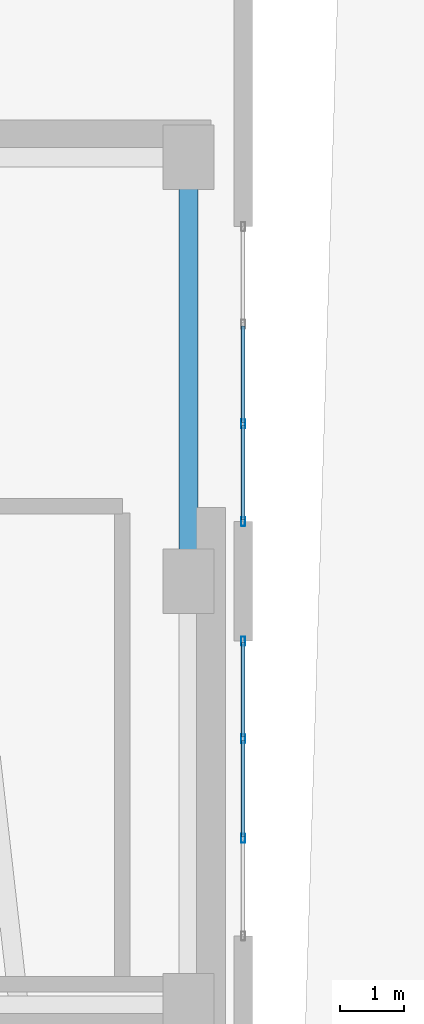
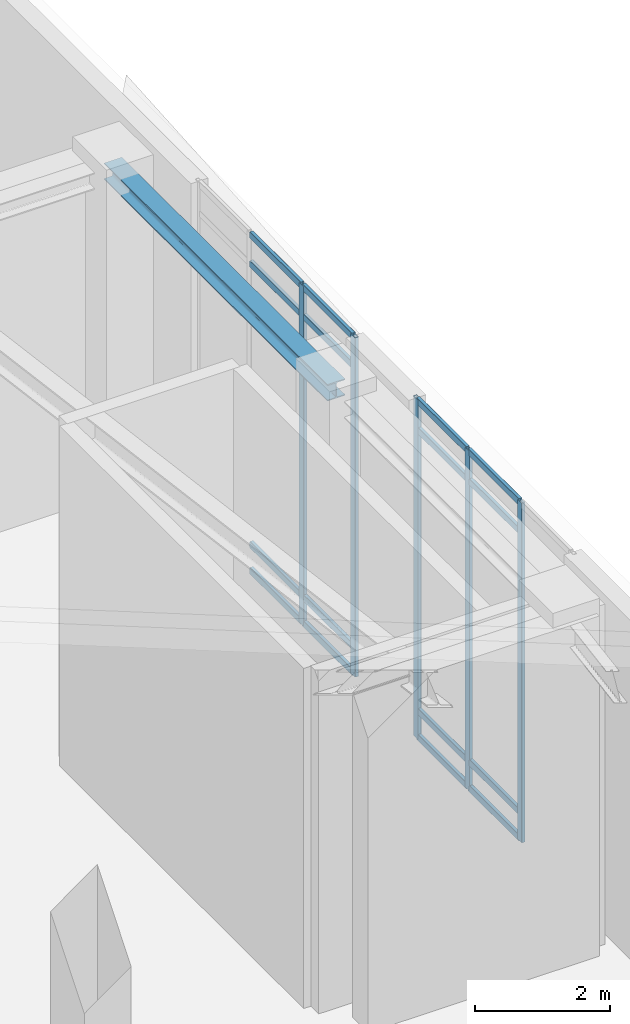
# One storey, part 4 of 9: 21 members, 1 beam, 2 elements without a shape of their own.
"""IFC4 building model written with IfcOpenShell, lengths in metres."""

from ifc_helpers import new_model, si_unit, direction, frame, origin, origin_2d, place, context, subcontext, project, spatial, hollow_rectangle, i_section, extrude, material, layer, layer_set, material_profile, profile_set, type_object, element, aggregate, save


model = new_model("IFC4")

# Units and contexts
model_context = context("Model", 3, precision=1e-05, world=origin(), true_north=direction((0.0, 1.0)))
body_context = subcontext(model_context, "Body", "Model", "MODEL_VIEW")
ifc_project = project(units=[si_unit("LENGTHUNIT", "METRE"), si_unit("AREAUNIT", "SQUARE_METRE"), si_unit("VOLUMEUNIT", "CUBIC_METRE"), si_unit("PLANEANGLEUNIT", "RADIAN"), si_unit("MASSUNIT", "GRAM", prefix="KILO")], contexts=[model_context])

# Site, building, storey
site_placement = place(None, origin())
site = spatial("IfcSite", under=ifc_project, at=site_placement, CompositionType="ELEMENT")
building_placement = place(site_placement, origin())
building = spatial("IfcBuilding", under=site, at=building_placement, Name="Ndelora Gate Hotel", CompositionType="ELEMENT")
storey_placement = place(building_placement, frame((0.0, 0.0, 311.60009765625)))
storey = spatial("IfcBuildingStorey", under=building, at=storey_placement, Name="RF2", CompositionType="ELEMENT", Elevation=311.60009765625)

# Beam
ifc_material_1 = material(Name="Steel S355", Category="steel")
ifc_material_profile_1 = material_profile(ifc_material_1, i_section(OverallWidth=0.300048828125, OverallDepth=0.300048828125, WebThickness=0.010986328125, FlangeThickness=0.01904296875, FilletRadius=0.027099609375, at=origin_2d()), Name="HEB 300")
ifc_profile_set_1 = profile_set([ifc_material_profile_1], Name="Steel S355")
beam_type = type_object("IfcBeamType", Name="BM-CORE-300", PredefinedType="BEAM", material=ifc_profile_set_1)
beam_placement = place(storey_placement, frame((8.0, 0.0, 5.989990234375), z_axis=(0.0, 1.0, 0.0), x_axis=(-1.0, 0.0, 0.0)))
element("IfcBeam", 1, at=beam_placement, inside=storey, type_object=beam_type, Name="RF2 Core Tie Girder CC4-CC5", PredefinedType="BEAM", context=body_context, shape_type="SweptSolid", body=[
    extrude(i_section(OverallWidth=0.300048828125, OverallDepth=0.300048828125, WebThickness=0.010986328125, FlangeThickness=0.01904296875, FilletRadius=0.027099609375, at=origin_2d()), origin(), (0.0, 0.0, 1.0), 6.60009765625),
])

# Curtain wall, members
ifc_material_2 = material(Name="Bronze Anodised Unitised Aluminium and Low-E Glass", Category="aluminium")
ifc_layer = layer(ifc_material_2, 0.199951171875)
ifc_layer_set = layer_set([ifc_layer], Name="Bronze Anodised Unitised Aluminium and Low-E Glass")
curtain_wall_type = type_object("IfcCurtainWallType", Name="CW-SYS-8", PredefinedType="NOTDEFINED", material=ifc_layer_set)
curtain_wall_1_placement = place(storey_placement, origin())
curtain_wall_1 = element("IfcCurtainWall", 2, at=curtain_wall_1_placement, inside=storey, type_object=curtain_wall_type, Name="RF2 Split-Crown West Cleft Lantern Curtain Wall CW8-1", PredefinedType="NOTDEFINED")
ifc_material_3 = material(Name="Bronze Anodised Aluminium 6063-T6", Category="aluminium")
ifc_material_profile_2 = material_profile(ifc_material_3, hollow_rectangle(XDim=0.06005859375, YDim=0.139892578125, WallThickness=0.00390625, InnerFilletRadius=0.00390625, OuterFilletRadius=0.008056640625, at=origin_2d()), Name="ALU 140x60x4")
ifc_profile_set_2 = profile_set([ifc_material_profile_2], Name="Bronze Anodised Aluminium 6063-T6")
member_type_1 = type_object("IfcMemberType", Name="MB-CW-MUL140", PredefinedType="MULLION", material=ifc_profile_set_2)
member_1_placement = place(storey_placement, frame((8.85009765625, -4.0, -0.004150390625), z_axis=(0.0, 0.0, 1.0), x_axis=(-1.0, 0.0, 0.0)))
member_1 = element("IfcMember", 3, at=member_1_placement, type_object=member_type_1, Name="CW8 mullion 2", PredefinedType="MULLION", context=body_context, shape_type="SweptSolid", body=[
    extrude(hollow_rectangle(XDim=0.06005859375, YDim=0.139892578125, WallThickness=0.00390625, InnerFilletRadius=0.00390625, OuterFilletRadius=0.008056640625, at=origin_2d()), origin(), (0.0, 0.0, 1.0), 6.128173828125),
])
member_2_placement = place(storey_placement, frame((8.85009765625, -2.449951171875, -0.004150390625), z_axis=(0.0, 0.0, 1.0), x_axis=(-1.0, 0.0, 0.0)))
member_2 = element("IfcMember", 4, at=member_2_placement, type_object=member_type_1, Name="CW8 mullion 3", PredefinedType="MULLION", context=body_context, shape_type="SweptSolid", body=[
    extrude(hollow_rectangle(XDim=0.06005859375, YDim=0.139892578125, WallThickness=0.00390625, InnerFilletRadius=0.00390625, OuterFilletRadius=0.008056640625, at=origin_2d()), origin(), (0.0, 0.0, 1.0), 6.128173828125),
])
member_3_placement = place(storey_placement, frame((8.85009765625, -0.929931640625, -0.004150390625), z_axis=(0.0, 0.0, 1.0), x_axis=(-1.0, 0.0, 0.0)))
member_3 = element("IfcMember", 5, at=member_3_placement, type_object=member_type_1, Name="CW8 mullion 4", PredefinedType="MULLION", context=body_context, shape_type="SweptSolid", body=[
    extrude(hollow_rectangle(XDim=0.06005859375, YDim=0.139892578125, WallThickness=0.00390625, InnerFilletRadius=0.00390625, OuterFilletRadius=0.008056640625, at=origin_2d()), origin(), (0.0, 0.0, 1.0), 6.128173828125),
])

curtain_wall_2_placement = place(storey_placement, origin())
curtain_wall_2 = element("IfcCurtainWall", 6, at=curtain_wall_2_placement, inside=storey, type_object=curtain_wall_type, Name="RF2 Split-Crown West Cleft Lantern Curtain Wall CW8-2", PredefinedType="NOTDEFINED")
member_4_placement = place(storey_placement, frame((8.85009765625, 0.929931640625, -0.004150390625), z_axis=(0.0, 0.0, 1.0), x_axis=(-1.0, 0.0, 0.0)))
member_4 = element("IfcMember", 7, at=member_4_placement, type_object=member_type_1, Name="CW8 mullion 1", PredefinedType="MULLION", context=body_context, shape_type="SweptSolid", body=[
    extrude(hollow_rectangle(XDim=0.06005859375, YDim=0.139892578125, WallThickness=0.00390625, InnerFilletRadius=0.00390625, OuterFilletRadius=0.008056640625, at=origin_2d()), origin(), (0.0, 0.0, 1.0), 6.128173828125),
])
member_5_placement = place(storey_placement, frame((8.85009765625, 2.449951171875, -0.004150390625), z_axis=(0.0, 0.0, 1.0), x_axis=(-1.0, 0.0, 0.0)))
member_5 = element("IfcMember", 8, at=member_5_placement, type_object=member_type_1, Name="CW8 mullion 2", PredefinedType="MULLION", context=body_context, shape_type="SweptSolid", body=[
    extrude(hollow_rectangle(XDim=0.06005859375, YDim=0.139892578125, WallThickness=0.00390625, InnerFilletRadius=0.00390625, OuterFilletRadius=0.008056640625, at=origin_2d()), origin(), (0.0, 0.0, 1.0), 6.128173828125),
])

# Member
ifc_material_profile_3 = material_profile(ifc_material_3, hollow_rectangle(XDim=0.06005859375, YDim=0.1201171875, WallThickness=0.00390625, InnerFilletRadius=0.00390625, OuterFilletRadius=0.008056640625, at=origin_2d()), Name="ALU 120x60x4")
ifc_profile_set_3 = profile_set([ifc_material_profile_3], Name="Bronze Anodised Aluminium 6063-T6")
member_type_2 = type_object("IfcMemberType", Name="MB-CW-TRN120", PredefinedType="USERDEFINED", material=ifc_profile_set_3)
member_6_placement = place(storey_placement, frame((8.85009765625, -3.97607421875, 0.02978515625), z_axis=(0.0, 1.0, 0.0), x_axis=(-1.0, 0.0, 0.0)))
member_6 = element("IfcMember", 9, at=member_6_placement, type_object=member_type_2, Name="CW8 transom 2.1", ObjectType="TRANSOM", PredefinedType="USERDEFINED", context=body_context, shape_type="SweptSolid", body=[
    extrude(hollow_rectangle(XDim=0.06005859375, YDim=0.1201171875, WallThickness=0.00390625, InnerFilletRadius=0.00390625, OuterFilletRadius=0.008056640625, at=origin_2d()), origin(), (0.0, 0.0, 1.0), 1.501953125),
])

member_7_placement = place(storey_placement, frame((8.85009765625, -3.97607421875, 0.5), z_axis=(0.0, 1.0, 0.0), x_axis=(-1.0, 0.0, 0.0)))
member_7 = element("IfcMember", 10, at=member_7_placement, type_object=member_type_2, Name="CW8 transom 2.2", ObjectType="TRANSOM", PredefinedType="USERDEFINED", context=body_context, shape_type="SweptSolid", body=[
    extrude(hollow_rectangle(XDim=0.06005859375, YDim=0.1201171875, WallThickness=0.00390625, InnerFilletRadius=0.00390625, OuterFilletRadius=0.008056640625, at=origin_2d()), origin(), (0.0, 0.0, 1.0), 1.501953125),
])

member_8_placement = place(storey_placement, frame((8.85009765625, -3.97607421875, 5.56982421875), z_axis=(0.0, 1.0, 0.0), x_axis=(-1.0, 0.0, 0.0)))
member_8 = element("IfcMember", 11, at=member_8_placement, type_object=member_type_2, Name="CW8 transom 2.3", ObjectType="TRANSOM", PredefinedType="USERDEFINED", context=body_context, shape_type="SweptSolid", body=[
    extrude(hollow_rectangle(XDim=0.06005859375, YDim=0.1201171875, WallThickness=0.00390625, InnerFilletRadius=0.00390625, OuterFilletRadius=0.008056640625, at=origin_2d()), origin(), (0.0, 0.0, 1.0), 1.501953125),
])

member_9_placement = place(storey_placement, frame((8.85009765625, -3.97607421875, 6.08984375), z_axis=(0.0, 1.0, 0.0), x_axis=(-1.0, 0.0, 0.0)))
member_9 = element("IfcMember", 12, at=member_9_placement, type_object=member_type_2, Name="CW8 transom 2.4", ObjectType="TRANSOM", PredefinedType="USERDEFINED", context=body_context, shape_type="SweptSolid", body=[
    extrude(hollow_rectangle(XDim=0.06005859375, YDim=0.1201171875, WallThickness=0.00390625, InnerFilletRadius=0.00390625, OuterFilletRadius=0.008056640625, at=origin_2d()), origin(), (0.0, 0.0, 1.0), 1.501953125),
])

member_10_placement = place(storey_placement, frame((8.85009765625, -2.426025390625, 0.02978515625), z_axis=(0.0, 1.0, 0.0), x_axis=(-1.0, 0.0, 0.0)))
member_10 = element("IfcMember", 13, at=member_10_placement, type_object=member_type_2, Name="CW8 transom 3.1", ObjectType="TRANSOM", PredefinedType="USERDEFINED", context=body_context, shape_type="SweptSolid", body=[
    extrude(hollow_rectangle(XDim=0.06005859375, YDim=0.1201171875, WallThickness=0.00390625, InnerFilletRadius=0.00390625, OuterFilletRadius=0.008056640625, at=origin_2d()), origin(), (0.0, 0.0, 1.0), 1.471923828125),
])

member_11_placement = place(storey_placement, frame((8.85009765625, -2.426025390625, 0.5), z_axis=(0.0, 1.0, 0.0), x_axis=(-1.0, 0.0, 0.0)))
member_11 = element("IfcMember", 14, at=member_11_placement, type_object=member_type_2, Name="CW8 transom 3.2", ObjectType="TRANSOM", PredefinedType="USERDEFINED", context=body_context, shape_type="SweptSolid", body=[
    extrude(hollow_rectangle(XDim=0.06005859375, YDim=0.1201171875, WallThickness=0.00390625, InnerFilletRadius=0.00390625, OuterFilletRadius=0.008056640625, at=origin_2d()), origin(), (0.0, 0.0, 1.0), 1.471923828125),
])

member_12_placement = place(storey_placement, frame((8.85009765625, -2.426025390625, 5.56982421875), z_axis=(0.0, 1.0, 0.0), x_axis=(-1.0, 0.0, 0.0)))
member_12 = element("IfcMember", 15, at=member_12_placement, type_object=member_type_2, Name="CW8 transom 3.3", ObjectType="TRANSOM", PredefinedType="USERDEFINED", context=body_context, shape_type="SweptSolid", body=[
    extrude(hollow_rectangle(XDim=0.06005859375, YDim=0.1201171875, WallThickness=0.00390625, InnerFilletRadius=0.00390625, OuterFilletRadius=0.008056640625, at=origin_2d()), origin(), (0.0, 0.0, 1.0), 1.471923828125),
])

member_13_placement = place(storey_placement, frame((8.85009765625, -2.426025390625, 6.08984375), z_axis=(0.0, 1.0, 0.0), x_axis=(-1.0, 0.0, 0.0)))
member_13 = element("IfcMember", 16, at=member_13_placement, type_object=member_type_2, Name="CW8 transom 3.4", ObjectType="TRANSOM", PredefinedType="USERDEFINED", context=body_context, shape_type="SweptSolid", body=[
    extrude(hollow_rectangle(XDim=0.06005859375, YDim=0.1201171875, WallThickness=0.00390625, InnerFilletRadius=0.00390625, OuterFilletRadius=0.008056640625, at=origin_2d()), origin(), (0.0, 0.0, 1.0), 1.471923828125),
])

aggregate(curtain_wall_1, [member_1, member_2, member_3, member_6, member_7, member_8, member_9, member_10, member_11, member_12, member_13])

member_14_placement = place(storey_placement, frame((8.85009765625, 0.9541015625, 0.02978515625), z_axis=(0.0, 1.0, 0.0), x_axis=(-1.0, 0.0, 0.0)))
member_14 = element("IfcMember", 17, at=member_14_placement, type_object=member_type_2, Name="CW8 transom 1.1", ObjectType="TRANSOM", PredefinedType="USERDEFINED", context=body_context, shape_type="SweptSolid", body=[
    extrude(hollow_rectangle(XDim=0.06005859375, YDim=0.1201171875, WallThickness=0.00390625, InnerFilletRadius=0.00390625, OuterFilletRadius=0.008056640625, at=origin_2d()), origin(), (0.0, 0.0, 1.0), 1.471923828125),
])

member_15_placement = place(storey_placement, frame((8.85009765625, 0.9541015625, 0.5), z_axis=(0.0, 1.0, 0.0), x_axis=(-1.0, 0.0, 0.0)))
member_15 = element("IfcMember", 18, at=member_15_placement, type_object=member_type_2, Name="CW8 transom 1.2", ObjectType="TRANSOM", PredefinedType="USERDEFINED", context=body_context, shape_type="SweptSolid", body=[
    extrude(hollow_rectangle(XDim=0.06005859375, YDim=0.1201171875, WallThickness=0.00390625, InnerFilletRadius=0.00390625, OuterFilletRadius=0.008056640625, at=origin_2d()), origin(), (0.0, 0.0, 1.0), 1.471923828125),
])

member_16_placement = place(storey_placement, frame((8.85009765625, 0.9541015625, 5.56982421875), z_axis=(0.0, 1.0, 0.0), x_axis=(-1.0, 0.0, 0.0)))
member_16 = element("IfcMember", 19, at=member_16_placement, type_object=member_type_2, Name="CW8 transom 1.3", ObjectType="TRANSOM", PredefinedType="USERDEFINED", context=body_context, shape_type="SweptSolid", body=[
    extrude(hollow_rectangle(XDim=0.06005859375, YDim=0.1201171875, WallThickness=0.00390625, InnerFilletRadius=0.00390625, OuterFilletRadius=0.008056640625, at=origin_2d()), origin(), (0.0, 0.0, 1.0), 1.471923828125),
])

member_17_placement = place(storey_placement, frame((8.85009765625, 0.9541015625, 6.08984375), z_axis=(0.0, 1.0, 0.0), x_axis=(-1.0, 0.0, 0.0)))
member_17 = element("IfcMember", 20, at=member_17_placement, type_object=member_type_2, Name="CW8 transom 1.4", ObjectType="TRANSOM", PredefinedType="USERDEFINED", context=body_context, shape_type="SweptSolid", body=[
    extrude(hollow_rectangle(XDim=0.06005859375, YDim=0.1201171875, WallThickness=0.00390625, InnerFilletRadius=0.00390625, OuterFilletRadius=0.008056640625, at=origin_2d()), origin(), (0.0, 0.0, 1.0), 1.471923828125),
])

member_18_placement = place(storey_placement, frame((8.85009765625, 2.47412109375, 0.02978515625), z_axis=(0.0, 1.0, 0.0), x_axis=(-1.0, 0.0, 0.0)))
member_18 = element("IfcMember", 21, at=member_18_placement, type_object=member_type_2, Name="CW8 transom 2.1", ObjectType="TRANSOM", PredefinedType="USERDEFINED", context=body_context, shape_type="SweptSolid", body=[
    extrude(hollow_rectangle(XDim=0.06005859375, YDim=0.1201171875, WallThickness=0.00390625, InnerFilletRadius=0.00390625, OuterFilletRadius=0.008056640625, at=origin_2d()), origin(), (0.0, 0.0, 1.0), 1.501953125),
])

member_19_placement = place(storey_placement, frame((8.85009765625, 2.47412109375, 0.5), z_axis=(0.0, 1.0, 0.0), x_axis=(-1.0, 0.0, 0.0)))
member_19 = element("IfcMember", 22, at=member_19_placement, type_object=member_type_2, Name="CW8 transom 2.2", ObjectType="TRANSOM", PredefinedType="USERDEFINED", context=body_context, shape_type="SweptSolid", body=[
    extrude(hollow_rectangle(XDim=0.06005859375, YDim=0.1201171875, WallThickness=0.00390625, InnerFilletRadius=0.00390625, OuterFilletRadius=0.008056640625, at=origin_2d()), origin(), (0.0, 0.0, 1.0), 1.501953125),
])

member_20_placement = place(storey_placement, frame((8.85009765625, 2.47412109375, 5.56982421875), z_axis=(0.0, 1.0, 0.0), x_axis=(-1.0, 0.0, 0.0)))
member_20 = element("IfcMember", 23, at=member_20_placement, type_object=member_type_2, Name="CW8 transom 2.3", ObjectType="TRANSOM", PredefinedType="USERDEFINED", context=body_context, shape_type="SweptSolid", body=[
    extrude(hollow_rectangle(XDim=0.06005859375, YDim=0.1201171875, WallThickness=0.00390625, InnerFilletRadius=0.00390625, OuterFilletRadius=0.008056640625, at=origin_2d()), origin(), (0.0, 0.0, 1.0), 1.501953125),
])

member_21_placement = place(storey_placement, frame((8.85009765625, 2.47412109375, 6.08984375), z_axis=(0.0, 1.0, 0.0), x_axis=(-1.0, 0.0, 0.0)))
member_21 = element("IfcMember", 24, at=member_21_placement, type_object=member_type_2, Name="CW8 transom 2.4", ObjectType="TRANSOM", PredefinedType="USERDEFINED", context=body_context, shape_type="SweptSolid", body=[
    extrude(hollow_rectangle(XDim=0.06005859375, YDim=0.1201171875, WallThickness=0.00390625, InnerFilletRadius=0.00390625, OuterFilletRadius=0.008056640625, at=origin_2d()), origin(), (0.0, 0.0, 1.0), 1.501953125),
])

aggregate(curtain_wall_2, [member_4, member_5, member_14, member_15, member_16, member_17, member_18, member_19, member_20, member_21])

save(model, "model.ifc")
